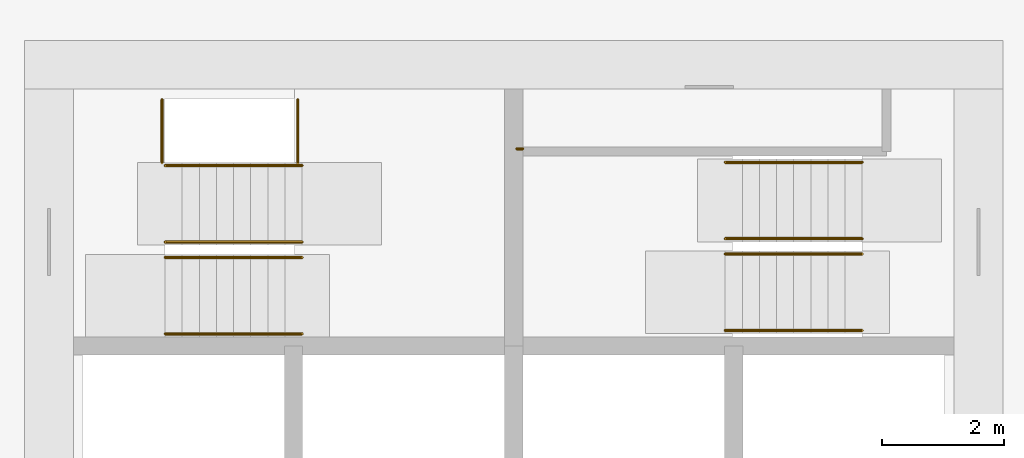
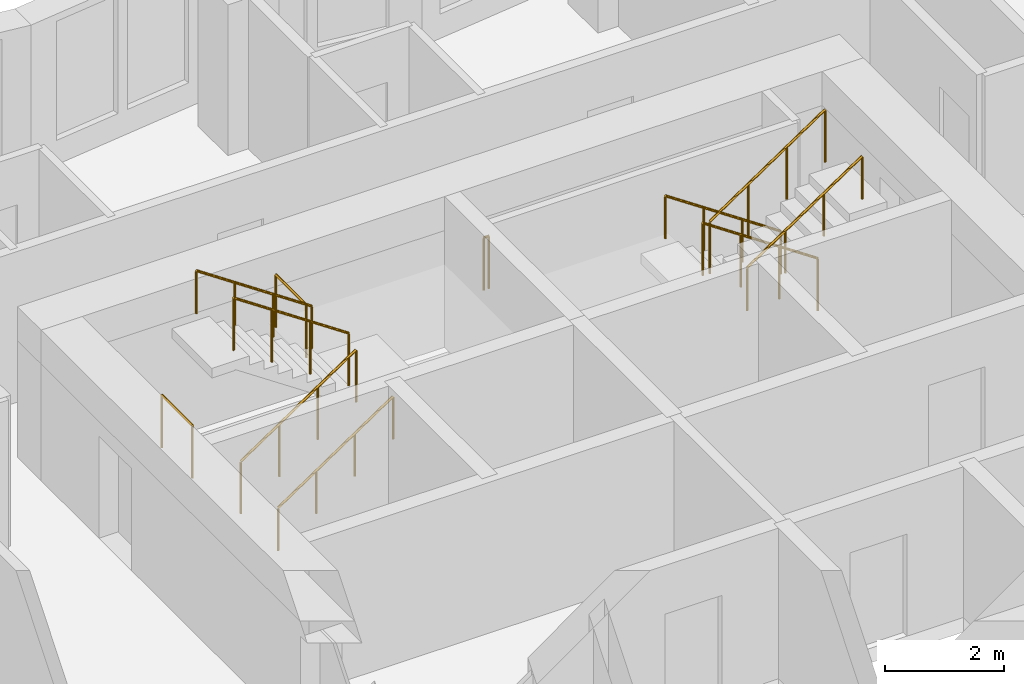
# One storey, part 12 of 13: 11 railings.
"""IFC4 building model written with IfcOpenShell, lengths in metres."""

from ifc_helpers import new_model, si_unit, direction, frame, origin, origin_2d, place, context, subcontext, project, spatial, circle, extrude, material, type_object, element, save


model = new_model("IFC4")

# Units and contexts
model_context = context("Model", 3, precision=1e-05, world=origin(), true_north=direction((0.0, 1.0)))
body_context = subcontext(model_context, "Body", "Model", "MODEL_VIEW")
ifc_project = project(units=[si_unit("LENGTHUNIT", "METRE"), si_unit("AREAUNIT", "SQUARE_METRE"), si_unit("VOLUMEUNIT", "CUBIC_METRE"), si_unit("PLANEANGLEUNIT", "RADIAN"), si_unit("MASSUNIT", "GRAM", prefix="KILO")], contexts=[model_context])

# Site, building, storey
site_placement = place(None, origin())
site = spatial("IfcSite", under=ifc_project, at=site_placement, CompositionType="ELEMENT")
building_placement = place(site_placement, origin())
building = spatial("IfcBuilding", under=site, at=building_placement, Name="Windrow Commons", CompositionType="ELEMENT")
storey_placement = place(building_placement, frame((0.0, 0.0, 101.6)))
storey = spatial("IfcBuildingStorey", under=building, at=storey_placement, Name="L27", CompositionType="ELEMENT", Elevation=101.6)

# Railings
ifc_material_1 = material(Name="Steel S355", Category="steel")
railing_type_1 = type_object("IfcRailingType", Name="Core stair guard 1100", PredefinedType="GUARDRAIL", material=ifc_material_1)
railing_1_placement = place(storey_placement, frame((59.1, 62.05, 0.1889)))
element("IfcRailing", 1, at=railing_1_placement, inside=storey, type_object=railing_type_1, Name="L27 ST-A1 stair guard 1", PredefinedType="GUARDRAIL", context=body_context, shape_type="SweptSolid", body=[
    extrude(circle(Radius=0.024, at=origin_2d()), frame((0.0, 0.0, 1.076), z_axis=(0.8290030985, 0.0, 0.5592440099), x_axis=(0.0, 1.0, 0.0)), (0.0, 0.0, 1.0), 2.702),
    extrude(circle(Radius=0.021, at=origin_2d()), origin(), (0.0, 0.0, 1.0), 1.052),
    extrude(circle(Radius=0.021, at=origin_2d()), frame((0.7467, 0.0, 0.5037)), (0.0, 0.0, 1.0), 1.052),
    extrude(circle(Radius=0.021, at=origin_2d()), frame((1.4933, 0.0, 1.0074)), (0.0, 0.0, 1.0), 1.052),
    extrude(circle(Radius=0.021, at=origin_2d()), frame((2.24, 0.0, 1.5111)), (0.0, 0.0, 1.0), 1.052),
])
railing_2_placement = place(storey_placement, frame((61.34, 62.3, 1.8889)))
element("IfcRailing", 2, at=railing_2_placement, inside=storey, type_object=railing_type_1, Name="L27 ST-A1 stair guard 2", PredefinedType="GUARDRAIL", context=body_context, shape_type="SweptSolid", body=[
    extrude(circle(Radius=0.024, at=origin_2d()), frame((0.0, 0.0, 1.076), z_axis=(-0.8290030985, 0.0, 0.5592440099), x_axis=(0.0, -1.0, 0.0)), (0.0, 0.0, 1.0), 2.702),
    extrude(circle(Radius=0.021, at=origin_2d()), origin(), (0.0, 0.0, 1.0), 1.052),
    extrude(circle(Radius=0.021, at=origin_2d()), frame((-0.7467, 0.0, 0.5037)), (0.0, 0.0, 1.0), 1.052),
    extrude(circle(Radius=0.021, at=origin_2d()), frame((-1.4933, 0.0, 1.0074)), (0.0, 0.0, 1.0), 1.052),
    extrude(circle(Radius=0.021, at=origin_2d()), frame((-2.24, 0.0, 1.5111)), (0.0, 0.0, 1.0), 1.052),
])
for number, where, name in (
    (3, (59.05, 63.6, 0.0), "L27 ST-A1 stair guard 3"),
    (4, (61.27, 63.6, 1.7), "L27 ST-A1 stair guard 4"),
):
    element("IfcRailing", number, at=place(storey_placement, frame(where)), inside=storey, type_object=railing_type_1, Name=name, PredefinedType="GUARDRAIL", context=body_context, shape_type="SweptSolid", body=[
        extrude(circle(Radius=0.024, at=origin_2d()), frame((0.0, 0.0, 1.076), z_axis=(0.0, 1.0, 0.0), x_axis=(-1.0, 0.0, 0.0)), (0.0, 0.0, 1.0), 1.03),
        extrude(circle(Radius=0.021, at=origin_2d()), origin(), (0.0, 0.0, 1.0), 1.052),
        extrude(circle(Radius=0.021, at=origin_2d()), frame((0.0, 1.03, 0.0)), (0.0, 0.0, 1.0), 1.052),
    ])
railing_3_placement = place(storey_placement, frame((70.5, 62.355, 0.1889)))
element("IfcRailing", 5, at=railing_3_placement, inside=storey, type_object=railing_type_1, Name="L27 ST-A2 stair guard 1", PredefinedType="GUARDRAIL", context=body_context, shape_type="SweptSolid", body=[
    extrude(circle(Radius=0.024, at=origin_2d()), frame((0.0, 0.0, 1.076), z_axis=(-0.8290030985, 0.0, 0.5592440099), x_axis=(0.0, -1.0, 0.0)), (0.0, 0.0, 1.0), 2.702),
    extrude(circle(Radius=0.021, at=origin_2d()), origin(), (0.0, 0.0, 1.0), 1.052),
    extrude(circle(Radius=0.021, at=origin_2d()), frame((-0.7467, 0.0, 0.5037)), (0.0, 0.0, 1.0), 1.052),
    extrude(circle(Radius=0.021, at=origin_2d()), frame((-1.4933, 0.0, 1.0074)), (0.0, 0.0, 1.0), 1.052),
    extrude(circle(Radius=0.021, at=origin_2d()), frame((-2.24, 0.0, 1.5111)), (0.0, 0.0, 1.0), 1.052),
])
railing_4_placement = place(storey_placement, frame((68.26, 62.105, 1.8889)))
element("IfcRailing", 6, at=railing_4_placement, inside=storey, type_object=railing_type_1, Name="L27 ST-A2 stair guard 2", PredefinedType="GUARDRAIL", context=body_context, shape_type="SweptSolid", body=[
    extrude(circle(Radius=0.024, at=origin_2d()), frame((0.0, 0.0, 1.076), z_axis=(0.8290030985, 0.0, 0.5592440099), x_axis=(0.0, 1.0, 0.0)), (0.0, 0.0, 1.0), 2.702),
    extrude(circle(Radius=0.021, at=origin_2d()), origin(), (0.0, 0.0, 1.0), 1.052),
    extrude(circle(Radius=0.021, at=origin_2d()), frame((0.7467, 0.0, 0.5037)), (0.0, 0.0, 1.0), 1.052),
    extrude(circle(Radius=0.021, at=origin_2d()), frame((1.4933, 0.0, 1.0074)), (0.0, 0.0, 1.0), 1.052),
    extrude(circle(Radius=0.021, at=origin_2d()), frame((2.24, 0.0, 1.5111)), (0.0, 0.0, 1.0), 1.052),
])
railing_5_placement = place(storey_placement, frame((64.95, 63.825, 1.7)))
element("IfcRailing", 7, at=railing_5_placement, inside=storey, type_object=railing_type_1, Name="L27 ST-A2 stair guard 3", PredefinedType="GUARDRAIL", context=body_context, shape_type="SweptSolid", body=[
    extrude(circle(Radius=0.024, at=origin_2d()), frame((0.0, 0.0, 1.076), z_axis=(-1.0, 0.0, 0.0), x_axis=(0.0, -1.0, 0.0)), (0.0, 0.0, 1.0), 0.1),
    extrude(circle(Radius=0.021, at=origin_2d()), origin(), (0.0, 0.0, 1.0), 1.052),
    extrude(circle(Radius=0.021, at=origin_2d()), frame((-0.1, 0.0, 0.0)), (0.0, 0.0, 1.0), 1.052),
])
ifc_material_2 = material(Name="Steel S355", Category="steel")
railing_type_2 = type_object("IfcRailingType", Name="Core stair handrail 900", PredefinedType="HANDRAIL", material=ifc_material_2)
railing_6_placement = place(storey_placement, frame((59.1, 60.8, 0.1889)))
element("IfcRailing", 8, at=railing_6_placement, inside=storey, type_object=railing_type_2, Name="L27 ST-A1 stair handrail 1", PredefinedType="HANDRAIL", context=body_context, shape_type="SweptSolid", body=[
    extrude(circle(Radius=0.024, at=origin_2d()), frame((0.0, 0.0, 0.876), z_axis=(0.8290030985, 0.0, 0.5592440099), x_axis=(0.0, 1.0, 0.0)), (0.0, 0.0, 1.0), 2.702),
    extrude(circle(Radius=0.021, at=origin_2d()), origin(), (0.0, 0.0, 1.0), 0.852),
    extrude(circle(Radius=0.021, at=origin_2d()), frame((0.7467, 0.0, 0.5037)), (0.0, 0.0, 1.0), 0.852),
    extrude(circle(Radius=0.021, at=origin_2d()), frame((1.4933, 0.0, 1.0074)), (0.0, 0.0, 1.0), 0.852),
    extrude(circle(Radius=0.021, at=origin_2d()), frame((2.24, 0.0, 1.5111)), (0.0, 0.0, 1.0), 0.852),
])
for number, where, name in (
    (9, (61.34, 63.55, 1.8889), "L27 ST-A1 stair handrail 2"),
    (10, (70.5, 63.605, 0.1889), "L27 ST-A2 stair handrail 1"),
):
    element("IfcRailing", number, at=place(storey_placement, frame(where)), inside=storey, type_object=railing_type_2, Name=name, PredefinedType="HANDRAIL", context=body_context, shape_type="SweptSolid", body=[
        extrude(circle(Radius=0.024, at=origin_2d()), frame((0.0, 0.0, 0.876), z_axis=(-0.8290030985, 0.0, 0.5592440099), x_axis=(0.0, -1.0, 0.0)), (0.0, 0.0, 1.0), 2.702),
        extrude(circle(Radius=0.021, at=origin_2d()), origin(), (0.0, 0.0, 1.0), 0.852),
        extrude(circle(Radius=0.021, at=origin_2d()), frame((-0.7467, 0.0, 0.5037)), (0.0, 0.0, 1.0), 0.852),
        extrude(circle(Radius=0.021, at=origin_2d()), frame((-1.4933, 0.0, 1.0074)), (0.0, 0.0, 1.0), 0.852),
        extrude(circle(Radius=0.021, at=origin_2d()), frame((-2.24, 0.0, 1.5111)), (0.0, 0.0, 1.0), 0.852),
    ])
railing_7_placement = place(storey_placement, frame((68.26, 60.855, 1.8889)))
element("IfcRailing", 11, at=railing_7_placement, inside=storey, type_object=railing_type_2, Name="L27 ST-A2 stair handrail 2", PredefinedType="HANDRAIL", context=body_context, shape_type="SweptSolid", body=[
    extrude(circle(Radius=0.024, at=origin_2d()), frame((0.0, 0.0, 0.876), z_axis=(0.8290030985, 0.0, 0.5592440099), x_axis=(0.0, 1.0, 0.0)), (0.0, 0.0, 1.0), 2.702),
    extrude(circle(Radius=0.021, at=origin_2d()), origin(), (0.0, 0.0, 1.0), 0.852),
    extrude(circle(Radius=0.021, at=origin_2d()), frame((0.7467, 0.0, 0.5037)), (0.0, 0.0, 1.0), 0.852),
    extrude(circle(Radius=0.021, at=origin_2d()), frame((1.4933, 0.0, 1.0074)), (0.0, 0.0, 1.0), 0.852),
    extrude(circle(Radius=0.021, at=origin_2d()), frame((2.24, 0.0, 1.5111)), (0.0, 0.0, 1.0), 0.852),
])

save(model, "model.ifc")
